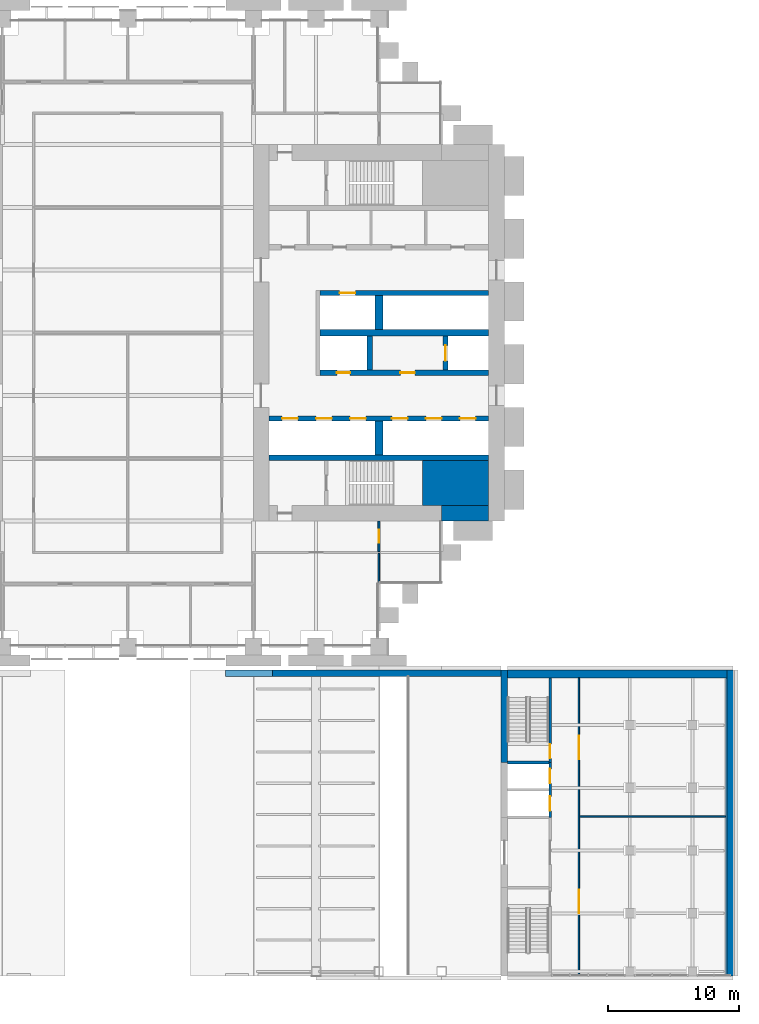
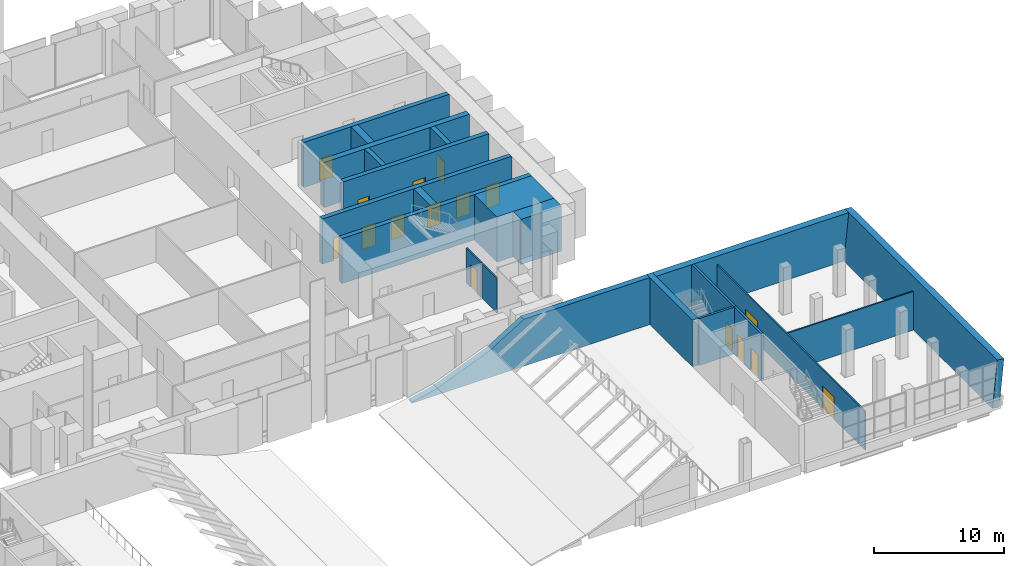
# One storey, part 23 of 32: 22 walls, 16 doors, 16 openings.
"""IFC4 building model written with IfcOpenShell, lengths in metres."""

from ifc_helpers import new_model, si_unit, direction, frame, frame_2d, origin, place, context, subcontext, project, spatial, polyline, rectangle, outline, extrude, material, layer, layer_set, type_object, element, fill, save


model = new_model("IFC4")

# Units and contexts
model_context = context("Model", 3, precision=1e-05, world=origin(), true_north=direction((0.0, 1.0)))
body_context = subcontext(model_context, "Body", "Model", "MODEL_VIEW")
ifc_project = project(units=[si_unit("LENGTHUNIT", "METRE"), si_unit("AREAUNIT", "SQUARE_METRE"), si_unit("VOLUMEUNIT", "CUBIC_METRE"), si_unit("PLANEANGLEUNIT", "RADIAN"), si_unit("MASSUNIT", "GRAM", prefix="KILO")], contexts=[model_context])

# Site, building, storey
site_placement = place(None, origin())
site = spatial("IfcSite", under=ifc_project, at=site_placement, CompositionType="ELEMENT")
building_placement = place(site_placement, origin())
building = spatial("IfcBuilding", under=site, at=building_placement, Name="Baori Bourse Tower", CompositionType="ELEMENT")
storey_placement = place(building_placement, frame((0.0, 0.0, 12.60009765625)))
storey = spatial("IfcBuildingStorey", under=building, at=storey_placement, Name="L01", CompositionType="ELEMENT", Elevation=12.60009765625)

# Walls
ifc_material_1 = material(Name="Concrete f'c 70 MPa", Category="concrete")
wall_type_1 = type_object("IfcWallType", Name="Core corner block f'c 70", PredefinedType="SHEAR", material=ifc_material_1)
wall_1_placement = place(storey_placement, frame((51.35009765625, 12.52490234375, 0.0), z_axis=(0.0, 0.0, 1.0), x_axis=(1.0, 0.0, 0.0)))
element("IfcWall", 1, at=wall_1_placement, inside=storey, type_object=wall_type_1, Name="Core wall E05", PredefinedType="SHEAR", context=body_context, shape_type="SweptSolid", body=[
    extrude(rectangle(XDim=5.0498046875, YDim=3.449951171875, at=frame_2d((2.52490234375, 0.0))), origin(), (0.0, 0.0, 1.0), 4.239990234375),
])
ifc_material_2 = material(Name="Concrete f'c 70 MPa", Category="concrete")
ifc_layer_1 = layer(ifc_material_2, 1.199951171875)
ifc_layer_set_1 = layer_set([ifc_layer_1], Name="Core wall 1200 f'c 70")
wall_type_2 = type_object("IfcWallType", Name="Core wall 1200 f'c 70", PredefinedType="SHEAR", material=ifc_layer_set_1)
wall_2_placement = place(storey_placement, frame((56.39990234375, 10.199951171875, 0.0), z_axis=(0.0, 0.0, 1.0), x_axis=(-1.0, 0.0, 0.0)))
element("IfcWall", 2, at=wall_2_placement, inside=storey, type_object=wall_type_2, Name="Core wall E02", PredefinedType="SHEAR", context=body_context, shape_type="SweptSolid", body=[
    extrude(rectangle(XDim=3.599853515625, YDim=1.199951171875, at=frame_2d((1.7998046875, 0.0))), origin(), (0.0, 0.0, 1.0), 4.239990234375),
])

# Wall, opening, door
ifc_material_3 = material(Name="Gypsum board partition")
ifc_layer_2 = layer(ifc_material_3, 0.14990234375)
ifc_layer_set_2 = layer_set([ifc_layer_2], Name="Corridor partition 150")
wall_type_3 = type_object("IfcWallType", Name="Corridor partition 150", PredefinedType="PARTITIONING", material=ifc_layer_set_2)
wall_3_placement = place(storey_placement, frame((48.0, 7.27490234375, 0.0), z_axis=(0.0, 0.0, 1.0), x_axis=(0.0, 1.0, 0.0)))
wall_3 = element("IfcWall", 3, at=wall_3_placement, inside=storey, type_object=wall_type_3, Name="Partition", PredefinedType="PARTITIONING", context=body_context, shape_type="SweptSolid", body=[
    extrude(rectangle(XDim=2.3251953125, YDim=0.14990234375, at=frame_2d((1.16259765625, 0.0))), origin(), (0.0, 0.0, 1.0), 3.26953125),
])
opening_1_placement = place(wall_3_placement, frame((0.66259765625, 0.0, 0.0)))
opening_1 = element("IfcOpeningElement", 4, at=opening_1_placement, cuts=wall_3, Name="Opening L01-D24", PredefinedType="OPENING", context=body_context, shape_type="SweptSolid", body=[
    extrude(rectangle(XDim=1.0, YDim=2.10009765625, at=frame_2d((0.5, 1.050048828125))), frame((0.0, 0.0849609375, 0.0), z_axis=(0.0, -1.0, 0.0), x_axis=(1.0, 0.0, 0.0)), (0.0, 0.0, 1.0), 0.169921875),
])
ifc_material_4 = material(Name="Timber door leaf", Category="wood")
door_type_1 = type_object("IfcDoorType", Name="Door 1000 x 2100", OperationType="SINGLE_SWING_LEFT", PredefinedType="DOOR", material=ifc_material_4)
door_1_placement = place(opening_1_placement, origin())
door_1 = element("IfcDoor", 5, at=door_1_placement, inside=storey, type_object=door_type_1, Name="Door", OperationType="SINGLE_SWING_LEFT", OverallHeight=2.10009765625, OverallWidth=1.0, PredefinedType="DOOR", context=body_context, shape_type="SweptSolid", body=[
    extrude(rectangle(XDim=1.0, YDim=2.10009765625, at=frame_2d((0.5, 1.050048828125))), frame((0.0, 0.02490234375, 0.0), z_axis=(0.0, -1.0, 0.0), x_axis=(1.0, 0.0, 0.0)), (0.0, 0.0, 1.0), 0.050048828125),
])
fill(opening_1, door_1)

# Walls
ifc_material_5 = material(Name="Concrete f'c 50 MPa", Category="concrete")
ifc_layer_3 = layer(ifc_material_5, 0.5)
ifc_layer_set_3 = layer_set([ifc_layer_3], Name="Hall end wall 500")
wall_type_4 = type_object("IfcWallType", Name="Hall end wall 500", PredefinedType="SOLIDWALL", material=ifc_layer_set_3)
wall_4_placement = place(storey_placement, frame((57.60009765625, -1.800048828125, 0.0), z_axis=(0.0, 0.0, 1.0), x_axis=(0.0, -1.0, 0.0)))
element("IfcWall", 6, at=wall_4_placement, inside=storey, type_object=wall_type_4, Name="wing/L01/Ehallwall/001", PredefinedType="SOLIDWALL", context=body_context, shape_type="SweptSolid", body=[
    extrude(rectangle(XDim=7.06005859375, YDim=0.5, at=frame_2d((3.530029296875, 0.0))), origin(), (0.0, 0.0, 1.0), 4.39990234375),
])
ifc_material_6 = material(Name="Concrete f'c 50 MPa", Category="concrete")
ifc_layer_4 = layer(ifc_material_6, 0.5)
ifc_layer_set_4 = layer_set([ifc_layer_4], Name="Hall north wall 500")
wall_type_5 = type_object("IfcWallType", Name="Hall north wall 500", PredefinedType="SOLIDWALL", material=ifc_layer_set_4)
wall_5_placement = place(storey_placement, frame((36.259033203125, -2.050048828125, 0.0), z_axis=(0.0, 0.0, 1.0), x_axis=(1.0, 0.0, 0.0)))
element("IfcWall", 7, at=wall_5_placement, inside=storey, type_object=wall_type_5, Name="wing/L01/hallnorth/002", PredefinedType="SOLIDWALL", context=body_context, shape_type="SweptSolid", body=[
    extrude(outline(polyline([(0.0, 0.0), (21.091064453125, 0.0), (21.091064453125, 4.39990234375), (16.541015625, 4.39990234375), (11.740966796875, 4.39990234375), (9.917236328125, 4.39990234375), (6.94091796875, 2.553466796875), (2.140869140625, 0.598876953125), (0.0, 0.099853515625), (0.0, 0.0)])), frame((0.0, 0.25, 0.0), z_axis=(0.0, -1.0, 0.0), x_axis=(1.0, 0.0, 0.0)), (0.0, 0.0, 1.0), 0.5),
])
ifc_material_7 = material(Name="Concrete f'c 50 MPa", Category="concrete")
ifc_layer_5 = layer(ifc_material_7, 0.60009765625)
ifc_layer_set_5 = layer_set([ifc_layer_5], Name="Leaning end wall 600")
wall_type_6 = type_object("IfcWallType", Name="Leaning end wall 600", PredefinedType="SOLIDWALL", material=ifc_layer_set_5)
wall_6_placement = place(storey_placement, frame((74.50244140625, -25.199951171875, 0.0), z_axis=(-0.995392620953, 0.0, 0.095882898123), x_axis=(0.0, 1.0, 0.0)))
element("IfcWall", 8, at=wall_6_placement, inside=storey, type_object=wall_type_6, Name="wing/L01/Eleanwall/001", PredefinedType="SOLIDWALL", context=body_context, shape_type="SweptSolid", body=[
    extrude(outline(polyline([(0.0, 0.0), (23.39990234375, 0.0), (23.39990234375, -4.42026819481327), (0.0, -4.42026819481327), (0.0, 0.0)])), origin(), (0.0, 0.0, -1.0), 0.60009765625),
])
ifc_material_8 = material(Name="Gypsum board partition")
ifc_layer_6 = layer(ifc_material_8, 0.125)
ifc_layer_set_6 = layer_set([ifc_layer_6], Name="Partition 125")
wall_type_7 = type_object("IfcWallType", Name="Partition 125", PredefinedType="PARTITIONING", material=ifc_layer_set_6)
wall_7_placement = place(storey_placement, frame((48.0, 4.89990234375, 0.0), z_axis=(0.0, 0.0, 1.0), x_axis=(0.0, 1.0, 0.0)))
element("IfcWall", 9, at=wall_7_placement, inside=storey, type_object=wall_type_7, Name="Partition", PredefinedType="PARTITIONING", context=body_context, shape_type="SweptSolid", body=[
    extrude(rectangle(XDim=2.22509765625, YDim=0.125, at=frame_2d((1.112548828125, 0.0))), origin(), (0.0, 0.0, 1.0), 3.26953125),
])

# Wall, opening, door
ifc_material_9 = material(Name="Concrete f'c 50 MPa", Category="concrete")
ifc_layer_7 = layer(ifc_material_9, 0.199951171875)
ifc_layer_set_7 = layer_set([ifc_layer_7], Name="Shaft wall 200")
wall_type_8 = type_object("IfcWallType", Name="Shaft wall 200", PredefinedType="SOLIDWALL", material=ifc_layer_set_7)
wall_8_placement = place(storey_placement, frame((61.10009765625, -2.39990234375, 0.0), z_axis=(0.0, 0.0, 1.0), x_axis=(0.0, -1.0, 0.0)))
wall_8 = element("IfcWall", 10, at=wall_8_placement, inside=storey, type_object=wall_type_8, Name="wing/L01/EcorrwallE/001", PredefinedType="SOLIDWALL", context=body_context, shape_type="SweptSolid", body=[
    extrude(rectangle(XDim=6.460205078125, YDim=0.199951171875, at=frame_2d((3.22998046875, 0.0))), origin(), (0.0, 0.0, 1.0), 4.39990234375),
])
opening_2_placement = place(wall_8_placement, frame((5.050048828125, 0.0, 0.0)))
opening_2 = element("IfcOpeningElement", 11, at=opening_2_placement, cuts=wall_8, Name="Opening WGE-L01-01", PredefinedType="OPENING", context=body_context, shape_type="SweptSolid", body=[
    extrude(rectangle(XDim=1.10009765625, YDim=2.10009765625, at=frame_2d((0.550048828125, 1.050048828125))), frame((0.0, 0.10986328125, 0.0), z_axis=(0.0, -1.0, 0.0), x_axis=(1.0, 0.0, 0.0)), (0.0, 0.0, 1.0), 0.219970703125),
])
ifc_material_10 = material(Name="Steel fire door", Category="steel")
door_type_2 = type_object("IfcDoorType", Name="Wing stair door 1100", OperationType="SINGLE_SWING_LEFT", PredefinedType="DOOR", material=ifc_material_10)
door_2_placement = place(opening_2_placement, origin())
door_2 = element("IfcDoor", 12, at=door_2_placement, inside=storey, type_object=door_type_2, Name="WGE-L01-01", OperationType="SINGLE_SWING_LEFT", OverallHeight=2.10009765625, OverallWidth=1.10009765625, PredefinedType="DOOR", context=body_context, shape_type="SweptSolid", body=[
    extrude(rectangle(XDim=1.10009765625, YDim=2.10009765625, at=frame_2d((0.550048828125, 1.050048828125))), frame((0.0, 0.02490234375, 0.0), z_axis=(0.0, -1.0, 0.0), x_axis=(1.0, 0.0, 0.0)), (0.0, 0.0, 1.0), 0.050048828125),
])
fill(opening_2, door_2)

# Wall, openings, doors
wall_9_placement = place(storey_placement, frame((61.10009765625, -8.860107421875, 0.0), z_axis=(0.0, 0.0, 1.0), x_axis=(0.0, -1.0, 0.0)))
wall_9 = element("IfcWall", 13, at=wall_9_placement, inside=storey, type_object=wall_type_8, Name="wing/L01/EcorrwallE/002", PredefinedType="SOLIDWALL", context=body_context, shape_type="SweptSolid", body=[
    extrude(rectangle(XDim=4.199951171875, YDim=0.199951171875, at=frame_2d((2.10009765625, 0.0))), origin(), (0.0, 0.0, 1.0), 4.39990234375),
])
opening_3_placement = place(wall_9_placement, frame((0.5, 0.0, 0.0)))
opening_3 = element("IfcOpeningElement", 14, at=opening_3_placement, cuts=wall_9, Name="Opening LD-E-L01-P", PredefinedType="OPENING", context=body_context, shape_type="SweptSolid", body=[
    extrude(rectangle(XDim=1.10009765625, YDim=2.10009765625, at=frame_2d((0.550048828125, 1.050048828125))), frame((0.0, 0.10986328125, 0.0), z_axis=(0.0, -1.0, 0.0), x_axis=(1.0, 0.0, 0.0)), (0.0, 0.0, 1.0), 0.219970703125),
])
opening_4_placement = place(wall_9_placement, frame((2.60009765625, 0.0, 0.0)))
opening_4 = element("IfcOpeningElement", 15, at=opening_4_placement, cuts=wall_9, Name="Opening LD-E-L01-S", PredefinedType="OPENING", context=body_context, shape_type="SweptSolid", body=[
    extrude(rectangle(XDim=1.10009765625, YDim=2.10009765625, at=frame_2d((0.550048828125, 1.050048828125))), frame((0.0, 0.10986328125, 0.0), z_axis=(0.0, -1.0, 0.0), x_axis=(1.0, 0.0, 0.0)), (0.0, 0.0, 1.0), 0.219970703125),
])
ifc_material_11 = material(Name="Stainless steel door", Category="steel")
door_type_3 = type_object("IfcDoorType", Name="Lift landing door 1100", OperationType="SLIDING_TO_LEFT", PredefinedType="DOOR", material=ifc_material_11)
door_3_placement = place(opening_3_placement, origin())
door_3 = element("IfcDoor", 16, at=door_3_placement, inside=storey, type_object=door_type_3, Name="LD-E-L01-P", OperationType="SLIDING_TO_LEFT", OverallHeight=2.10009765625, OverallWidth=1.10009765625, PredefinedType="DOOR", context=body_context, shape_type="SweptSolid", body=[
    extrude(rectangle(XDim=1.10009765625, YDim=2.10009765625, at=frame_2d((0.550048828125, 1.050048828125))), frame((0.0, 0.02490234375, 0.0), z_axis=(0.0, -1.0, 0.0), x_axis=(1.0, 0.0, 0.0)), (0.0, 0.0, 1.0), 0.050048828125),
])
fill(opening_3, door_3)
door_4_placement = place(opening_4_placement, origin())
door_4 = element("IfcDoor", 17, at=door_4_placement, inside=storey, type_object=door_type_3, Name="LD-E-L01-S", OperationType="SLIDING_TO_LEFT", OverallHeight=2.10009765625, OverallWidth=1.10009765625, PredefinedType="DOOR", context=body_context, shape_type="SweptSolid", body=[
    extrude(rectangle(XDim=1.10009765625, YDim=2.10009765625, at=frame_2d((0.550048828125, 1.050048828125))), frame((0.0, 0.02490234375, 0.0), z_axis=(0.0, -1.0, 0.0), x_axis=(1.0, 0.0, 0.0)), (0.0, 0.0, 1.0), 0.050048828125),
])
fill(opening_4, door_4)

# Walls
wall_10_placement = place(storey_placement, frame((61.0, -8.860107421875, 0.0), z_axis=(0.0, 0.0, 1.0), x_axis=(-1.0, 0.0, 0.0)))
element("IfcWall", 18, at=wall_10_placement, inside=storey, type_object=wall_type_8, Name="wing/L01/Eshaftwall/001", PredefinedType="SOLIDWALL", context=body_context, shape_type="SweptSolid", body=[
    extrude(rectangle(XDim=3.14990234375, YDim=0.199951171875, at=frame_2d((1.574951171875, 0.0))), origin(), (0.0, 0.0, 1.0), 4.39990234375),
])
ifc_material_12 = material(Name="Concrete f'c 70 MPa", Category="concrete")
ifc_layer_8 = layer(ifc_material_12, 0.39990234375)
ifc_layer_set_8 = layer_set([ifc_layer_8], Name="Shaft wall 400 f'c 70")
wall_type_9 = type_object("IfcWallType", Name="Shaft wall 400 f'c 70", PredefinedType="SHEAR", material=ifc_layer_set_8)
wall_11_placement = place(storey_placement, frame((39.60009765625, 14.449951171875, 0.0), z_axis=(0.0, 0.0, 1.0), x_axis=(1.0, 0.0, 0.0)))
element("IfcWall", 19, at=wall_11_placement, inside=storey, type_object=wall_type_9, Name="Core wall E07", PredefinedType="SHEAR", context=body_context, shape_type="SweptSolid", body=[
    extrude(rectangle(XDim=16.7998046875, YDim=0.39990234375, at=frame_2d((8.39990234375, 0.0))), origin(), (0.0, 0.0, 1.0), 4.239990234375),
])

# Wall, openings, doors
wall_12_placement = place(storey_placement, frame((39.60009765625, 17.449951171875, 0.0), z_axis=(0.0, 0.0, 1.0), x_axis=(1.0, 0.0, 0.0)))
wall_12 = element("IfcWall", 20, at=wall_12_placement, inside=storey, type_object=wall_type_9, Name="Core wall E09", PredefinedType="SHEAR", context=body_context, shape_type="SweptSolid", body=[
    extrude(rectangle(XDim=16.7998046875, YDim=0.39990234375, at=frame_2d((8.39990234375, 0.0))), origin(), (0.0, 0.0, 1.0), 4.239990234375),
])
opening_5_placement = place(wall_12_placement, frame((14.60009765625, 0.0, 0.0)))
opening_5 = element("IfcOpeningElement", 21, at=opening_5_placement, cuts=wall_12, Name="Opening L01-D213", PredefinedType="OPENING", context=body_context, shape_type="SweptSolid", body=[
    extrude(rectangle(XDim=1.199951171875, YDim=2.10009765625, at=frame_2d((0.60009765625, 1.050048828125))), frame((0.0, 0.2099609375, 0.0), z_axis=(0.0, -1.0, 0.0), x_axis=(1.0, 0.0, 0.0)), (0.0, 0.0, 1.0), 0.419921875),
])
opening_6_placement = place(wall_12_placement, frame((12.0, 0.0, 0.0)))
opening_6 = element("IfcOpeningElement", 22, at=opening_6_placement, cuts=wall_12, Name="Opening L01-D214", PredefinedType="OPENING", context=body_context, shape_type="SweptSolid", body=[
    extrude(rectangle(XDim=1.199951171875, YDim=2.10009765625, at=frame_2d((0.60009765625, 1.050048828125))), frame((0.0, 0.2099609375, 0.0), z_axis=(0.0, -1.0, 0.0), x_axis=(1.0, 0.0, 0.0)), (0.0, 0.0, 1.0), 0.419921875),
])
opening_7_placement = place(wall_12_placement, frame((9.39990234375, 0.0, 0.0)))
opening_7 = element("IfcOpeningElement", 23, at=opening_7_placement, cuts=wall_12, Name="Opening L01-D215", PredefinedType="OPENING", context=body_context, shape_type="SweptSolid", body=[
    extrude(rectangle(XDim=1.199951171875, YDim=2.10009765625, at=frame_2d((0.60009765625, 1.050048828125))), frame((0.0, 0.2099609375, 0.0), z_axis=(0.0, -1.0, 0.0), x_axis=(1.0, 0.0, 0.0)), (0.0, 0.0, 1.0), 0.419921875),
])
opening_8_placement = place(wall_12_placement, frame((6.199951171875, 0.0, 0.0)))
opening_8 = element("IfcOpeningElement", 24, at=opening_8_placement, cuts=wall_12, Name="Opening L01-D216", PredefinedType="OPENING", context=body_context, shape_type="SweptSolid", body=[
    extrude(rectangle(XDim=1.199951171875, YDim=2.10009765625, at=frame_2d((0.60009765625, 1.050048828125))), frame((0.0, 0.2099609375, 0.0), z_axis=(0.0, -1.0, 0.0), x_axis=(1.0, 0.0, 0.0)), (0.0, 0.0, 1.0), 0.419921875),
])
opening_9_placement = place(wall_12_placement, frame((3.60009765625, 0.0, 0.0)))
opening_9 = element("IfcOpeningElement", 25, at=opening_9_placement, cuts=wall_12, Name="Opening L01-D217", PredefinedType="OPENING", context=body_context, shape_type="SweptSolid", body=[
    extrude(rectangle(XDim=1.199951171875, YDim=2.10009765625, at=frame_2d((0.60009765625, 1.050048828125))), frame((0.0, 0.2099609375, 0.0), z_axis=(0.0, -1.0, 0.0), x_axis=(1.0, 0.0, 0.0)), (0.0, 0.0, 1.0), 0.419921875),
])
opening_10_placement = place(wall_12_placement, frame((1.0, 0.0, 0.0)))
opening_10 = element("IfcOpeningElement", 26, at=opening_10_placement, cuts=wall_12, Name="Opening L01-D218", PredefinedType="OPENING", context=body_context, shape_type="SweptSolid", body=[
    extrude(rectangle(XDim=1.199951171875, YDim=2.10009765625, at=frame_2d((0.60009765625, 1.050048828125))), frame((0.0, 0.2099609375, 0.0), z_axis=(0.0, -1.0, 0.0), x_axis=(1.0, 0.0, 0.0)), (0.0, 0.0, 1.0), 0.419921875),
])
ifc_material_13 = material(Name="Stainless steel door", Category="steel")
door_type_4 = type_object("IfcDoorType", Name="Lift landing door", OperationType="DOUBLE_DOOR_SLIDING", PredefinedType="DOOR", material=ifc_material_13)
door_5_placement = place(opening_5_placement, origin())
door_5 = element("IfcDoor", 27, at=door_5_placement, inside=storey, type_object=door_type_4, Name="Lift landing door LR1 E L01", OperationType="DOUBLE_DOOR_SLIDING", OverallHeight=2.10009765625, OverallWidth=1.199951171875, PredefinedType="DOOR", context=body_context, shape_type="SweptSolid", body=[
    extrude(rectangle(XDim=1.199951171875, YDim=2.10009765625, at=frame_2d((0.60009765625, 1.050048828125))), frame((0.0, 0.02490234375, 0.0), z_axis=(0.0, -1.0, 0.0), x_axis=(1.0, 0.0, 0.0)), (0.0, 0.0, 1.0), 0.050048828125),
])
fill(opening_5, door_5)
door_6_placement = place(opening_6_placement, origin())
door_6 = element("IfcDoor", 28, at=door_6_placement, inside=storey, type_object=door_type_4, Name="Lift landing door LR2 E L01", OperationType="DOUBLE_DOOR_SLIDING", OverallHeight=2.10009765625, OverallWidth=1.199951171875, PredefinedType="DOOR", context=body_context, shape_type="SweptSolid", body=[
    extrude(rectangle(XDim=1.199951171875, YDim=2.10009765625, at=frame_2d((0.60009765625, 1.050048828125))), frame((0.0, 0.02490234375, 0.0), z_axis=(0.0, -1.0, 0.0), x_axis=(1.0, 0.0, 0.0)), (0.0, 0.0, 1.0), 0.050048828125),
])
fill(opening_6, door_6)
door_7_placement = place(opening_7_placement, origin())
door_7 = element("IfcDoor", 29, at=door_7_placement, inside=storey, type_object=door_type_4, Name="Lift landing door LR3 E L01", OperationType="DOUBLE_DOOR_SLIDING", OverallHeight=2.10009765625, OverallWidth=1.199951171875, PredefinedType="DOOR", context=body_context, shape_type="SweptSolid", body=[
    extrude(rectangle(XDim=1.199951171875, YDim=2.10009765625, at=frame_2d((0.60009765625, 1.050048828125))), frame((0.0, 0.02490234375, 0.0), z_axis=(0.0, -1.0, 0.0), x_axis=(1.0, 0.0, 0.0)), (0.0, 0.0, 1.0), 0.050048828125),
])
fill(opening_7, door_7)
door_8_placement = place(opening_8_placement, origin())
door_8 = element("IfcDoor", 30, at=door_8_placement, inside=storey, type_object=door_type_4, Name="Lift landing door LR4 E L01", OperationType="DOUBLE_DOOR_SLIDING", OverallHeight=2.10009765625, OverallWidth=1.199951171875, PredefinedType="DOOR", context=body_context, shape_type="SweptSolid", body=[
    extrude(rectangle(XDim=1.199951171875, YDim=2.10009765625, at=frame_2d((0.60009765625, 1.050048828125))), frame((0.0, 0.02490234375, 0.0), z_axis=(0.0, -1.0, 0.0), x_axis=(1.0, 0.0, 0.0)), (0.0, 0.0, 1.0), 0.050048828125),
])
fill(opening_8, door_8)
door_9_placement = place(opening_9_placement, origin())
door_9 = element("IfcDoor", 31, at=door_9_placement, inside=storey, type_object=door_type_4, Name="Lift landing door LR5 E L01", OperationType="DOUBLE_DOOR_SLIDING", OverallHeight=2.10009765625, OverallWidth=1.199951171875, PredefinedType="DOOR", context=body_context, shape_type="SweptSolid", body=[
    extrude(rectangle(XDim=1.199951171875, YDim=2.10009765625, at=frame_2d((0.60009765625, 1.050048828125))), frame((0.0, 0.02490234375, 0.0), z_axis=(0.0, -1.0, 0.0), x_axis=(1.0, 0.0, 0.0)), (0.0, 0.0, 1.0), 0.050048828125),
])
fill(opening_9, door_9)
door_10_placement = place(opening_10_placement, origin())
door_10 = element("IfcDoor", 32, at=door_10_placement, inside=storey, type_object=door_type_4, Name="Lift landing door LR6 E L01", OperationType="DOUBLE_DOOR_SLIDING", OverallHeight=2.10009765625, OverallWidth=1.199951171875, PredefinedType="DOOR", context=body_context, shape_type="SweptSolid", body=[
    extrude(rectangle(XDim=1.199951171875, YDim=2.10009765625, at=frame_2d((0.60009765625, 1.050048828125))), frame((0.0, 0.02490234375, 0.0), z_axis=(0.0, -1.0, 0.0), x_axis=(1.0, 0.0, 0.0)), (0.0, 0.0, 1.0), 0.050048828125),
])
fill(opening_10, door_10)

wall_13_placement = place(storey_placement, frame((43.5, 20.949951171875, 0.0), z_axis=(0.0, 0.0, 1.0), x_axis=(1.0, 0.0, 0.0)))
wall_13 = element("IfcWall", 33, at=wall_13_placement, inside=storey, type_object=wall_type_9, Name="Core wall E10", PredefinedType="SHEAR", context=body_context, shape_type="SweptSolid", body=[
    extrude(rectangle(XDim=12.89990234375, YDim=0.39990234375, at=frame_2d((6.449951171875, 0.0))), origin(), (0.0, 0.0, 1.0), 4.239990234375),
])
opening_11_placement = place(wall_13_placement, frame((6.14990234375, 0.0, 0.0)))
opening_11 = element("IfcOpeningElement", 34, at=opening_11_placement, cuts=wall_13, Name="Opening L01-D205", PredefinedType="OPENING", context=body_context, shape_type="SweptSolid", body=[
    extrude(rectangle(XDim=1.10009765625, YDim=2.10009765625, at=frame_2d((0.550048828125, 1.050048828125))), frame((0.0, 0.2099609375, 0.0), z_axis=(0.0, -1.0, 0.0), x_axis=(1.0, 0.0, 0.0)), (0.0, 0.0, 1.0), 0.419921875),
])
opening_12_placement = place(wall_13_placement, frame((1.300048828125, 0.0, 0.0)))
opening_12 = element("IfcOpeningElement", 35, at=opening_12_placement, cuts=wall_13, Name="Opening L01-D206", PredefinedType="OPENING", context=body_context, shape_type="SweptSolid", body=[
    extrude(rectangle(XDim=1.0, YDim=2.10009765625, at=frame_2d((0.5, 1.050048828125))), frame((0.0, 0.2099609375, 0.0), z_axis=(0.0, -1.0, 0.0), x_axis=(1.0, 0.0, 0.0)), (0.0, 0.0, 1.0), 0.419921875),
])
ifc_material_14 = material(Name="Painted steel door", Category="steel")
door_type_5 = type_object("IfcDoorType", Name="Lobby door 1100", OperationType="SINGLE_SWING_LEFT", PredefinedType="DOOR", material=ifc_material_14)
door_11_placement = place(opening_11_placement, origin())
door_11 = element("IfcDoor", 36, at=door_11_placement, inside=storey, type_object=door_type_5, Name="Firefighting lobby door E L01", OperationType="SINGLE_SWING_LEFT", OverallHeight=2.10009765625, OverallWidth=1.10009765625, PredefinedType="DOOR", context=body_context, shape_type="SweptSolid", body=[
    extrude(rectangle(XDim=1.10009765625, YDim=2.10009765625, at=frame_2d((0.550048828125, 1.050048828125))), frame((0.0, 0.02490234375, 0.0), z_axis=(0.0, -1.0, 0.0), x_axis=(1.0, 0.0, 0.0)), (0.0, 0.0, 1.0), 0.050048828125),
])
fill(opening_11, door_11)
ifc_material_15 = material(Name="Painted steel door", Category="steel")
door_type_6 = type_object("IfcDoorType", Name="Shaft door 1000", OperationType="SINGLE_SWING_LEFT", PredefinedType="DOOR", material=ifc_material_15)
door_12_placement = place(opening_12_placement, origin())
door_12 = element("IfcDoor", 37, at=door_12_placement, inside=storey, type_object=door_type_6, Name="Riser room door E L01", OperationType="SINGLE_SWING_LEFT", OverallHeight=2.10009765625, OverallWidth=1.0, PredefinedType="DOOR", context=body_context, shape_type="SweptSolid", body=[
    extrude(rectangle(XDim=1.0, YDim=2.10009765625, at=frame_2d((0.5, 1.050048828125))), frame((0.0, 0.02490234375, 0.0), z_axis=(0.0, -1.0, 0.0), x_axis=(1.0, 0.0, 0.0)), (0.0, 0.0, 1.0), 0.050048828125),
])
fill(opening_12, door_12)

# Wall, opening, door
wall_14_placement = place(storey_placement, frame((53.10009765625, 21.14990234375, 0.0), z_axis=(0.0, 0.0, 1.0), x_axis=(0.0, 1.0, 0.0)))
wall_14 = element("IfcWall", 38, at=wall_14_placement, inside=storey, type_object=wall_type_9, Name="Core wall E12", PredefinedType="SHEAR", context=body_context, shape_type="SweptSolid", body=[
    extrude(rectangle(XDim=2.60009765625, YDim=0.39990234375, at=frame_2d((1.300048828125, 0.0))), origin(), (0.0, 0.0, 1.0), 4.239990234375),
])
opening_13_placement = place(wall_14_placement, frame((0.699951171875, 0.0, 0.0)))
opening_13 = element("IfcOpeningElement", 39, at=opening_13_placement, cuts=wall_14, Name="Opening L01-D220", PredefinedType="OPENING", context=body_context, shape_type="SweptSolid", body=[
    extrude(rectangle(XDim=1.199951171875, YDim=2.10009765625, at=frame_2d((0.60009765625, 1.050048828125))), frame((0.0, 0.2099609375, 0.0), z_axis=(0.0, -1.0, 0.0), x_axis=(1.0, 0.0, 0.0)), (0.0, 0.0, 1.0), 0.419921875),
])
door_13_placement = place(opening_13_placement, origin())
door_13 = element("IfcDoor", 40, at=door_13_placement, inside=storey, type_object=door_type_4, Name="Lift landing door FF2 E L01", OperationType="DOUBLE_DOOR_SLIDING", OverallHeight=2.10009765625, OverallWidth=1.199951171875, PredefinedType="DOOR", context=body_context, shape_type="SweptSolid", body=[
    extrude(rectangle(XDim=1.199951171875, YDim=2.10009765625, at=frame_2d((0.60009765625, 1.050048828125))), frame((0.0, 0.02490234375, 0.0), z_axis=(0.0, -1.0, 0.0), x_axis=(1.0, 0.0, 0.0)), (0.0, 0.0, 1.0), 0.050048828125),
])
fill(opening_13, door_13)

# Wall
wall_15_placement = place(storey_placement, frame((47.300048828125, 21.14990234375, 0.0), z_axis=(0.0, 0.0, 1.0), x_axis=(0.0, 1.0, 0.0)))
element("IfcWall", 41, at=wall_15_placement, inside=storey, type_object=wall_type_9, Name="Core wall E13", PredefinedType="SHEAR", context=body_context, shape_type="SweptSolid", body=[
    extrude(rectangle(XDim=2.60009765625, YDim=0.39990234375, at=frame_2d((1.300048828125, 0.0))), origin(), (0.0, 0.0, 1.0), 4.239990234375),
])

# Wall, opening, door
wall_16_placement = place(storey_placement, frame((43.5, 27.050048828125, 0.0), z_axis=(0.0, 0.0, 1.0), x_axis=(1.0, 0.0, 0.0)))
wall_16 = element("IfcWall", 42, at=wall_16_placement, inside=storey, type_object=wall_type_9, Name="Core wall E16", PredefinedType="SHEAR", context=body_context, shape_type="SweptSolid", body=[
    extrude(rectangle(XDim=12.89990234375, YDim=0.39990234375, at=frame_2d((6.449951171875, 0.0))), origin(), (0.0, 0.0, 1.0), 4.239990234375),
])
opening_14_placement = place(wall_16_placement, frame((1.5, 0.0, 0.0)))
opening_14 = element("IfcOpeningElement", 43, at=opening_14_placement, cuts=wall_16, Name="Opening L01-D219", PredefinedType="OPENING", context=body_context, shape_type="SweptSolid", body=[
    extrude(rectangle(XDim=1.199951171875, YDim=2.10009765625, at=frame_2d((0.60009765625, 1.050048828125))), frame((0.0, 0.2099609375, 0.0), z_axis=(0.0, -1.0, 0.0), x_axis=(1.0, 0.0, 0.0)), (0.0, 0.0, 1.0), 0.419921875),
])
door_14_placement = place(opening_14_placement, origin())
door_14 = element("IfcDoor", 44, at=door_14_placement, inside=storey, type_object=door_type_4, Name="Lift landing door SV1 E L01", OperationType="DOUBLE_DOOR_SLIDING", OverallHeight=2.10009765625, OverallWidth=1.199951171875, PredefinedType="DOOR", context=body_context, shape_type="SweptSolid", body=[
    extrude(rectangle(XDim=1.199951171875, YDim=2.10009765625, at=frame_2d((0.60009765625, 1.050048828125))), frame((0.0, 0.02490234375, 0.0), z_axis=(0.0, -1.0, 0.0), x_axis=(1.0, 0.0, 0.0)), (0.0, 0.0, 1.0), 0.050048828125),
])
fill(opening_14, door_14)

# Walls
ifc_material_16 = material(Name="Concrete f'c 70 MPa", Category="concrete")
ifc_layer_9 = layer(ifc_material_16, 0.5)
ifc_layer_set_9 = layer_set([ifc_layer_9], Name="Shaft wall 500 f'c 70")
wall_type_10 = type_object("IfcWallType", Name="Shaft wall 500 f'c 70", PredefinedType="SHEAR", material=ifc_layer_set_9)
wall_17_placement = place(storey_placement, frame((43.5, 24.0, 0.0), z_axis=(0.0, 0.0, 1.0), x_axis=(1.0, 0.0, 0.0)))
element("IfcWall", 45, at=wall_17_placement, inside=storey, type_object=wall_type_10, Name="Core wall E14", PredefinedType="SHEAR", context=body_context, shape_type="SweptSolid", body=[
    extrude(rectangle(XDim=12.89990234375, YDim=0.5, at=frame_2d((6.449951171875, 0.0))), origin(), (0.0, 0.0, 1.0), 4.239990234375),
])
ifc_material_17 = material(Name="Concrete f'c 70 MPa", Category="concrete")
ifc_layer_10 = layer(ifc_material_17, 0.60009765625)
ifc_layer_set_10 = layer_set([ifc_layer_10], Name="Shaft wall 600 f'c 70")
wall_type_11 = type_object("IfcWallType", Name="Shaft wall 600 f'c 70", PredefinedType="SHEAR", material=ifc_layer_set_10)
for number, where, z_axis, x_axis, name in (
    (46, (48.0, 14.64990234375, 0.0), (0.0, 0.0, 1.0), (0.0, 1.0, 0.0), "Core wall E08"),
    (47, (48.0, 24.25, 0.0), (0.0, 0.0, 1.0), (0.0, 1.0, 0.0), "Core wall E15"),
):
    element("IfcWall", number, at=place(storey_placement, frame(where, z_axis=z_axis, x_axis=x_axis)), inside=storey, type_object=wall_type_11, Name=name, PredefinedType="SHEAR", context=body_context, shape_type="SweptSolid", body=[
        extrude(rectangle(XDim=2.60009765625, YDim=0.60009765625, at=frame_2d((1.300048828125, 0.0))), origin(), (0.0, 0.0, 1.0), 4.239990234375),
    ])
ifc_material_18 = material(Name="Concrete f'c 50 MPa", Category="concrete")
ifc_layer_11 = layer(ifc_material_18, 0.60009765625)
ifc_layer_set_11 = layer_set([ifc_layer_11], Name="Wing north wall 600")
wall_type_12 = type_object("IfcWallType", Name="Wing north wall 600", PredefinedType="SOLIDWALL", material=ifc_layer_set_11)
wall_18_placement = place(storey_placement, frame((57.85009765625, -2.10009765625, 0.0), z_axis=(0.0, 0.0, 1.0), x_axis=(1.0, 0.0, 0.0)))
element("IfcWall", 48, at=wall_18_placement, inside=storey, type_object=wall_type_12, Name="wing/L01/Enorthwall/001", PredefinedType="SOLIDWALL", context=body_context, shape_type="SweptSolid", body=[
    extrude(outline(polyline([(0.0, 0.0), (16.65234375, 0.0), (17.076171875, 4.39990234375), (0.0, 4.39990234375), (0.0, 0.0)])), frame((0.0, 0.300048828125, 0.0), z_axis=(0.0, -1.0, 0.0), x_axis=(1.0, 0.0, 0.0)), (0.0, 0.0, 1.0), 0.60009765625),
])

# Wall, openings, doors
ifc_material_19 = material(Name="Gypsum board partition")
ifc_layer_12 = layer(ifc_material_19, 0.125)
ifc_layer_set_12 = layer_set([ifc_layer_12], Name="Wing partition 125")
wall_type_13 = type_object("IfcWallType", Name="Wing partition 125", PredefinedType="PARTITIONING", material=ifc_layer_set_12)
wall_19_placement = place(storey_placement, frame((63.300048828125, -25.10009765625, 0.0), z_axis=(0.0, 0.0, 1.0), x_axis=(0.0, 1.0, 0.0)))
wall_19 = element("IfcWall", 49, at=wall_19_placement, inside=storey, type_object=wall_type_13, Name="wing/L01/EcorrwallW/001", PredefinedType="PARTITIONING", context=body_context, shape_type="SweptSolid", body=[
    extrude(rectangle(XDim=22.7001953125, YDim=0.125, at=frame_2d((11.35009765625, 0.0))), origin(), (0.0, 0.0, 1.0), 3.619873046875),
])
opening_15_placement = place(wall_19_placement, frame((16.5, 0.0, 0.0)))
opening_15 = element("IfcOpeningElement", 50, at=opening_15_placement, cuts=wall_19, Name="Opening WGE-L01-03", PredefinedType="OPENING", context=body_context, shape_type="SweptSolid", body=[
    extrude(rectangle(XDim=1.800048828125, YDim=2.10009765625, at=frame_2d((0.89990234375, 1.050048828125))), frame((0.0, 0.072509765625, 0.0), z_axis=(0.0, -1.0, 0.0), x_axis=(1.0, 0.0, 0.0)), (0.0, 0.0, 1.0), 0.14501953125),
])
opening_16_placement = place(wall_19_placement, frame((4.699951171875, 0.0, 0.0)))
opening_16 = element("IfcOpeningElement", 51, at=opening_16_placement, cuts=wall_19, Name="Opening WGE-L01-04", PredefinedType="OPENING", context=body_context, shape_type="SweptSolid", body=[
    extrude(rectangle(XDim=1.800048828125, YDim=2.10009765625, at=frame_2d((0.89990234375, 1.050048828125))), frame((0.0, 0.072509765625, 0.0), z_axis=(0.0, -1.0, 0.0), x_axis=(1.0, 0.0, 0.0)), (0.0, 0.0, 1.0), 0.14501953125),
])
ifc_material_20 = material(Name="Timber door", Category="wood")
door_type_7 = type_object("IfcDoorType", Name="Wing double door 1800x2100", OperationType="DOUBLE_DOOR_SINGLE_SWING", PredefinedType="DOOR", material=ifc_material_20)
door_15_placement = place(opening_15_placement, origin())
door_15 = element("IfcDoor", 52, at=door_15_placement, inside=storey, type_object=door_type_7, Name="WGE-L01-03", OperationType="DOUBLE_DOOR_SINGLE_SWING", OverallHeight=2.10009765625, OverallWidth=1.800048828125, PredefinedType="DOOR", context=body_context, shape_type="SweptSolid", body=[
    extrude(rectangle(XDim=1.800048828125, YDim=2.10009765625, at=frame_2d((0.89990234375, 1.050048828125))), frame((0.0, 0.02490234375, 0.0), z_axis=(0.0, -1.0, 0.0), x_axis=(1.0, 0.0, 0.0)), (0.0, 0.0, 1.0), 0.050048828125),
])
fill(opening_15, door_15)
door_16_placement = place(opening_16_placement, origin())
door_16 = element("IfcDoor", 53, at=door_16_placement, inside=storey, type_object=door_type_7, Name="WGE-L01-04", OperationType="DOUBLE_DOOR_SINGLE_SWING", OverallHeight=2.10009765625, OverallWidth=1.800048828125, PredefinedType="DOOR", context=body_context, shape_type="SweptSolid", body=[
    extrude(rectangle(XDim=1.800048828125, YDim=2.10009765625, at=frame_2d((0.89990234375, 1.050048828125))), frame((0.0, 0.02490234375, 0.0), z_axis=(0.0, -1.0, 0.0), x_axis=(1.0, 0.0, 0.0)), (0.0, 0.0, 1.0), 0.050048828125),
])
fill(opening_16, door_16)

# Wall
wall_20_placement = place(storey_placement, frame((63.362548828125, -13.0, 0.0), z_axis=(0.0, 0.0, 1.0), x_axis=(1.0, 0.0, 0.0)))
element("IfcWall", 54, at=wall_20_placement, inside=storey, type_object=wall_type_13, Name="wing/L01/Emidwall/001", PredefinedType="PARTITIONING", context=body_context, shape_type="SweptSolid", body=[
    extrude(rectangle(XDim=11.139892578125, YDim=0.125, at=frame_2d((5.56982421875, 0.0))), origin(), (0.0, 0.0, 1.0), 3.619873046875),
])

save(model, "model.ifc")
